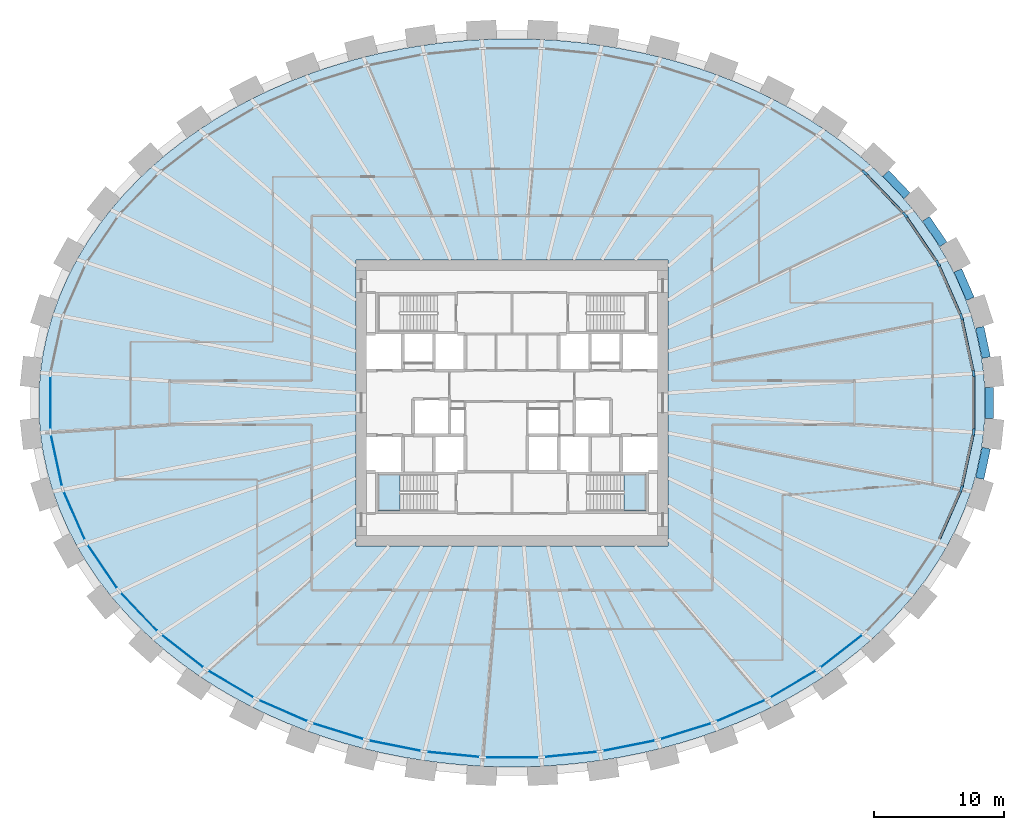
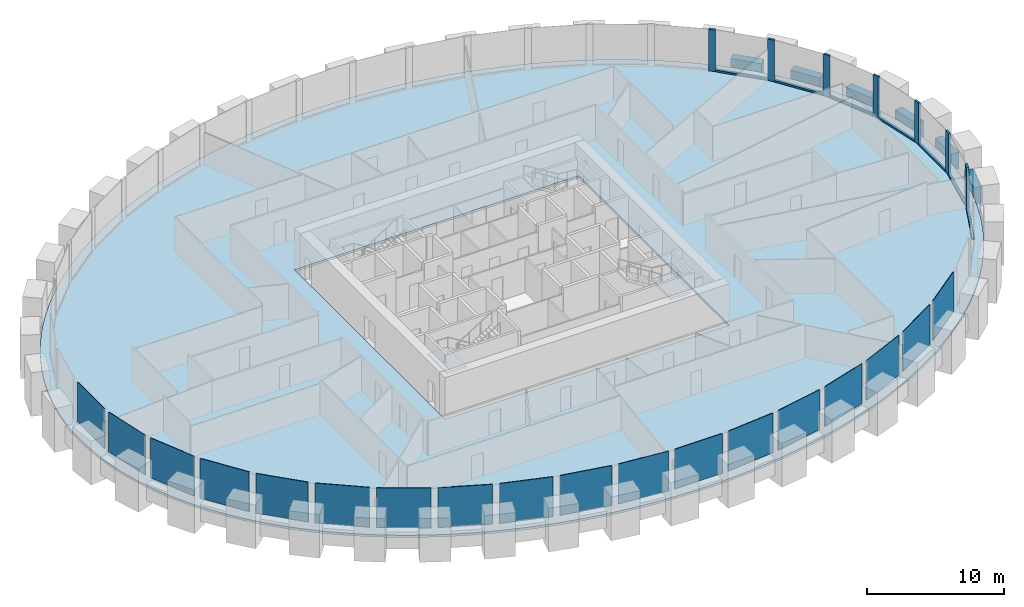
# One storey, part 4 of 10: 18 plates, 14 members, 6 beams, 3 slabs, 3 elements without a shape of their own.
"""IFC4 building model written with IfcOpenShell, lengths in metres."""

from ifc_helpers import new_model, si_unit, direction, frame, origin, origin_2d, place, context, subcontext, project, spatial, polyline, rectangle, outline, extrude, source, transform, mapped, material, layer, layer_set, material_profile, profile_set, type_object, element, aggregate, save


model = new_model("IFC4")

# Units and contexts
model_context = context("Model", 3, precision=1e-05, world=origin(), true_north=direction((0.0, 1.0)))
body_context = subcontext(model_context, "Body", "Model", "MODEL_VIEW")
ifc_project = project(units=[si_unit("LENGTHUNIT", "METRE"), si_unit("AREAUNIT", "SQUARE_METRE"), si_unit("VOLUMEUNIT", "CUBIC_METRE"), si_unit("PLANEANGLEUNIT", "RADIAN"), si_unit("MASSUNIT", "GRAM", prefix="KILO")], contexts=[model_context])

# Site, building, storey
site_placement = place(None, origin())
site = spatial("IfcSite", under=ifc_project, at=site_placement, CompositionType="ELEMENT")
building_placement = place(site_placement, origin())
building = spatial("IfcBuilding", under=site, at=building_placement, Name="Embergate Tower", CompositionType="ELEMENT")
storey_placement = place(building_placement, frame((0.0, 0.0, 183.300048828125)))
storey = spatial("IfcBuildingStorey", under=building, at=storey_placement, Name="L41", CompositionType="ELEMENT", Elevation=183.300048828125)

# Beams
ifc_material_1 = material(Name="Concrete C70", Category="concrete")
ifc_material_profile_1 = material_profile(ifc_material_1, rectangle(XDim=0.64990234375, YDim=1.5, at=origin_2d()), Name="RC 650x1500")
ifc_profile_set_1 = profile_set([ifc_material_profile_1], Name="Concrete C70")
beam_type = type_object("IfcBeamType", Name="Spandrel beam RC 650x1500 C70", PredefinedType="BEAM", material=ifc_profile_set_1)
shared_shape_1 = source(origin(), body_context, "Body", "SweptSolid", [
    extrude(rectangle(XDim=0.64990234375, YDim=1.5, at=origin_2d()), origin(), (0.0, 0.0, 1.0), 2.390625),
])
for number, where, z_axis, x_axis, name in (
    (1, (36.489013671875, 3.48388671875, 0.0), (-0.210372893439, 0.977621217909, 0.0), (-0.977621217909, -0.210372893439, 0.0), "SPN-L41-00"),
    (2, (35.986083984375, -5.821044921875, 0.0), (0.210372893439, 0.977621217909, 0.0), (-0.977621217909, 0.210372893439, 0.0), "SPN-L41-42"),
):
    element("IfcBeam", number, at=place(storey_placement, frame(where, z_axis=z_axis, x_axis=x_axis)), inside=storey, type_object=beam_type, Name=name, PredefinedType="BEAM", context=body_context, shape_type="MappedRepresentation", body=[
        mapped(shared_shape_1, transform((0.0, 0.0, 0.0))),
    ])
shared_shape_2 = source(origin(), body_context, "Body", "SweptSolid", [
    extrude(rectangle(XDim=0.64990234375, YDim=1.5, at=origin_2d()), origin(), (0.0, 0.0, 1.0), 2.383544921875),
])
beam_1_placement = place(storey_placement, frame((35.259033203125, 8.0029296875, 0.0), z_axis=(-0.401495719711, 0.915860899402, 0.0), x_axis=(-0.915860899402, -0.401495719711, 0.0)))
element("IfcBeam", 3, at=beam_1_placement, inside=storey, type_object=beam_type, Name="SPN-L41-01", PredefinedType="BEAM", context=body_context, shape_type="MappedRepresentation", body=[
    mapped(shared_shape_2, transform((0.0, 0.0, 0.0))),
])
shared_shape_3 = source(origin(), body_context, "Body", "SweptSolid", [
    extrude(rectangle(XDim=0.64990234375, YDim=1.5, at=origin_2d()), origin(), (0.0, 0.0, 1.0), 2.37744140625),
])
beam_2_placement = place(storey_placement, frame((33.18798828125, 12.198974609375, 0.0), z_axis=(-0.562307212713, 0.826928411975, 0.0), x_axis=(-0.826928411975, -0.562307212713, 0.0)))
element("IfcBeam", 4, at=beam_2_placement, inside=storey, type_object=beam_type, Name="SPN-L41-02", PredefinedType="BEAM", context=body_context, shape_type="MappedRepresentation", body=[
    mapped(shared_shape_3, transform((0.0, 0.0, 0.0))),
])
shared_shape_4 = source(origin(), body_context, "Body", "SweptSolid", [
    extrude(rectangle(XDim=0.64990234375, YDim=1.5, at=origin_2d()), origin(), (0.0, 0.0, 1.0), 2.370361328125),
])
beam_3_placement = place(storey_placement, frame((30.39111328125, 15.94189453125, 0.0), z_axis=(-0.690277300847, 0.723544917704, 0.0), x_axis=(-0.723544917704, -0.690277300847, 0.0)))
element("IfcBeam", 5, at=beam_3_placement, inside=storey, type_object=beam_type, Name="SPN-L41-03", PredefinedType="BEAM", context=body_context, shape_type="MappedRepresentation", body=[
    mapped(shared_shape_4, transform((0.0, 0.0, 0.0))),
])
shared_shape_5 = source(origin(), body_context, "Body", "SweptSolid", [
    extrude(rectangle(XDim=0.64990234375, YDim=1.5, at=origin_2d()), origin(), (0.0, 0.0, 1.0), 2.39404296875),
])
beam_4_placement = place(storey_placement, frame((36.73193359375, -1.197021484375, 0.0), z_axis=(0.0, 1.0, 0.0), x_axis=(-1.0, 0.0, 0.0)))
element("IfcBeam", 6, at=beam_4_placement, inside=storey, type_object=beam_type, Name="SPN-L41-43", PredefinedType="BEAM", context=body_context, shape_type="MappedRepresentation", body=[
    mapped(shared_shape_5, transform((0.0, 0.0, 0.0))),
])

# Curtain wall, members
ifc_material_2 = material(Name="Aluminium and glass", Category="aluminium")
curtain_wall_type = type_object("IfcCurtainWallType", Name="Recessed office glazing", PredefinedType="NOTDEFINED", material=ifc_material_2)
curtain_wall_placement = place(storey_placement, origin())
curtain_wall = element("IfcCurtainWall", 7, at=curtain_wall_placement, inside=storey, type_object=curtain_wall_type, Name="Recessed office glazing ring", ObjectType="RECESSED OFFICE GLAZING", PredefinedType="USERDEFINED")
ifc_material_3 = material(Name="Aluminium, thermally broken", Category="aluminium")
ifc_material_profile_2 = material_profile(ifc_material_3, rectangle(XDim=0.179931640625, YDim=0.52001953125, at=origin_2d()), Name="AL 520x180")
ifc_profile_set_2 = profile_set([ifc_material_profile_2], Name="Aluminium, thermally broken")
member_type_1 = type_object("IfcMemberType", Name="Office mullion", PredefinedType="MULLION", material=ifc_profile_set_2)
shared_shape_6 = source(origin(), body_context, "Body", "SweptSolid", [
    extrude(rectangle(XDim=0.179931640625, YDim=0.52001953125, at=origin_2d()), origin(), (0.0, 0.0, 1.0), 3.699951171875),
])
member_1_placement = place(storey_placement, frame((35.51806640625, 2.2392578125, 0.0), z_axis=(0.0, 0.0, 1.0), x_axis=(-0.994384954736, -0.105823257345, 0.0)))
member_1 = element("IfcMember", 8, at=member_1_placement, type_object=member_type_1, Name="CW mullion 1", PredefinedType="MULLION", context=body_context, shape_type="MappedRepresentation", body=[
    mapped(shared_shape_6, transform((0.0, 0.0, 0.0))),
])
member_2_placement = place(storey_placement, frame((34.5751953125, 6.6201171875, 0.0), z_axis=(0.0, 0.0, 1.0), x_axis=(-0.951497797992, -0.307655554826, 0.0)))
member_2 = element("IfcMember", 9, at=member_2_placement, type_object=member_type_1, Name="CW mullion 2", PredefinedType="MULLION", context=body_context, shape_type="MappedRepresentation", body=[
    mapped(shared_shape_6, transform((0.0, 0.0, 0.0))),
])
member_3_placement = place(storey_placement, frame((32.7724609375, 10.73046875, 0.0), z_axis=(0.0, 0.0, 1.0), x_axis=(-0.875002740779, -0.484117964581, 0.0)))
member_3 = element("IfcMember", 10, at=member_3_placement, type_object=member_type_1, Name="CW mullion 3", PredefinedType="MULLION", context=body_context, shape_type="MappedRepresentation", body=[
    mapped(shared_shape_6, transform((0.0, 0.0, 0.0))),
])
member_4_placement = place(storey_placement, frame((30.24365234375, 14.448974609375, 0.0), z_axis=(0.0, 0.0, 1.0), x_axis=(-0.777873661157, -0.62842069291, 0.0)))
member_4 = element("IfcMember", 11, at=member_4_placement, type_object=member_type_1, Name="CW mullion 4", PredefinedType="MULLION", context=body_context, shape_type="MappedRepresentation", body=[
    mapped(shared_shape_6, transform((0.0, 0.0, 0.0))),
])
member_5_placement = place(storey_placement, frame((27.13427734375, 17.709716796875, 0.0), z_axis=(0.0, 0.0, 1.0), x_axis=(-0.671229121411, -0.741249935292, 0.0)))
member_5 = element("IfcMember", 12, at=member_5_placement, type_object=member_type_1, Name="CW mullion 5", PredefinedType="MULLION", context=body_context, shape_type="MappedRepresentation", body=[
    mapped(shared_shape_6, transform((0.0, 0.0, 0.0))),
])
member_6_placement = place(storey_placement, frame((34.5751953125, -6.6201171875, 0.0), z_axis=(0.0, 0.0, 1.0), x_axis=(-0.951497797992, 0.307655554826, 0.0)))
member_6 = element("IfcMember", 13, at=member_6_placement, type_object=member_type_1, Name="CW mullion 43", PredefinedType="MULLION", context=body_context, shape_type="MappedRepresentation", body=[
    mapped(shared_shape_6, transform((0.0, 0.0, 0.0))),
])
member_7_placement = place(storey_placement, frame((35.51806640625, -2.2392578125, 0.0), z_axis=(0.0, 0.0, 1.0), x_axis=(-0.994384954736, 0.105823257345, 0.0)))
member_7 = element("IfcMember", 14, at=member_7_placement, type_object=member_type_1, Name="CW mullion 44", PredefinedType="MULLION", context=body_context, shape_type="MappedRepresentation", body=[
    mapped(shared_shape_6, transform((0.0, 0.0, 0.0))),
])
ifc_material_profile_3 = material_profile(ifc_material_3, rectangle(XDim=0.179931640625, YDim=0.14990234375, at=origin_2d()), Name="AL 150x180")
ifc_profile_set_3 = profile_set([ifc_material_profile_3], Name="Aluminium, thermally broken")
member_type_2 = type_object("IfcMemberType", Name="Office sill transom", PredefinedType="USERDEFINED", material=ifc_profile_set_3)
shared_shape_7 = source(origin(), body_context, "Body", "SweptSolid", [
    extrude(rectangle(XDim=0.179931640625, YDim=0.14990234375, at=origin_2d()), origin(), (0.0, 0.0, 1.0), 3.96142578125),
])
member_8_placement = place(storey_placement, frame((35.46337890625, 2.493408203125, 0.074951171875), z_axis=(-0.210400224287, 0.977615336224, 0.0), x_axis=(-0.977615336224, -0.210400224287, 0.0)))
member_8 = element("IfcMember", 15, at=member_8_placement, type_object=member_type_2, Name="CW transom 1.1", ObjectType="TRANSOM", PredefinedType="USERDEFINED", context=body_context, shape_type="MappedRepresentation", body=[
    mapped(shared_shape_7, transform((0.0, 0.0, 0.0))),
])
member_9_placement = place(storey_placement, frame((34.6298828125, -6.3662109375, 0.074951171875), z_axis=(0.210400224287, 0.977615336224, 0.0), x_axis=(-0.977615336224, 0.210400224287, 0.0)))
member_9 = element("IfcMember", 16, at=member_9_placement, type_object=member_type_2, Name="CW transom 43.1", ObjectType="TRANSOM", PredefinedType="USERDEFINED", context=body_context, shape_type="MappedRepresentation", body=[
    mapped(shared_shape_7, transform((0.0, 0.0, 0.0))),
])
shared_shape_8 = source(origin(), body_context, "Body", "SweptSolid", [
    extrude(rectangle(XDim=0.179931640625, YDim=0.14990234375, at=origin_2d()), origin(), (0.0, 0.0, 1.0), 3.968017578125),
])
member_10_placement = place(storey_placement, frame((34.470703125, 6.8583984375, 0.074951171875), z_axis=(-0.401657873891, 0.915789797028, 0.0), x_axis=(-0.915789797028, -0.401657873891, 0.0)))
member_10 = element("IfcMember", 17, at=member_10_placement, type_object=member_type_2, Name="CW transom 2.1", ObjectType="TRANSOM", PredefinedType="USERDEFINED", context=body_context, shape_type="MappedRepresentation", body=[
    mapped(shared_shape_8, transform((0.0, 0.0, 0.0))),
])
member_11_placement = place(storey_placement, frame((32.876953125, -10.4921875, 0.074951171875), z_axis=(0.401657873891, 0.915789797028, 0.0), x_axis=(-0.915789797028, 0.401657873891, 0.0)))
member_11 = element("IfcMember", 18, at=member_11_placement, type_object=member_type_2, Name="CW transom 42.1", ObjectType="TRANSOM", PredefinedType="USERDEFINED", context=body_context, shape_type="MappedRepresentation", body=[
    mapped(shared_shape_8, transform((0.0, 0.0, 0.0))),
])
shared_shape_9 = source(origin(), body_context, "Body", "SweptSolid", [
    extrude(rectangle(XDim=0.179931640625, YDim=0.14990234375, at=origin_2d()), origin(), (0.0, 0.0, 1.0), 3.976806640625),
])
member_12_placement = place(storey_placement, frame((32.626220703125, 10.9453125, 0.074951171875), z_axis=(-0.5623268127, 0.826915083741, 0.0), x_axis=(-0.826915083741, -0.5623268127, 0.0)))
member_12 = element("IfcMember", 19, at=member_12_placement, type_object=member_type_2, Name="CW transom 3.1", ObjectType="TRANSOM", PredefinedType="USERDEFINED", context=body_context, shape_type="MappedRepresentation", body=[
    mapped(shared_shape_9, transform((0.0, 0.0, 0.0))),
])
shared_shape_10 = source(origin(), body_context, "Body", "SweptSolid", [
    extrude(rectangle(XDim=0.179931640625, YDim=0.14990234375, at=origin_2d()), origin(), (0.0, 0.0, 1.0), 3.985595703125),
])
member_13_placement = place(storey_placement, frame((30.064208984375, 14.63720703125, 0.074951171875), z_axis=(-0.690123088355, 0.723692008329, 0.0), x_axis=(-0.723692008329, -0.690123088355, 0.0)))
member_13 = element("IfcMember", 20, at=member_13_placement, type_object=member_type_2, Name="CW transom 4.1", ObjectType="TRANSOM", PredefinedType="USERDEFINED", context=body_context, shape_type="MappedRepresentation", body=[
    mapped(shared_shape_10, transform((0.0, 0.0, 0.0))),
])
shared_shape_11 = source(origin(), body_context, "Body", "SweptSolid", [
    extrude(rectangle(XDim=0.179931640625, YDim=0.14990234375, at=origin_2d()), origin(), (0.0, 0.0, 1.0), 3.95849609375),
])
member_14_placement = place(storey_placement, frame((35.51806640625, -1.979248046875, 0.074951171875), z_axis=(0.0, 1.0, 0.0), x_axis=(-1.0, 0.0, 0.0)))
member_14 = element("IfcMember", 21, at=member_14_placement, type_object=member_type_2, Name="CW transom 44.1", ObjectType="TRANSOM", PredefinedType="USERDEFINED", context=body_context, shape_type="MappedRepresentation", body=[
    mapped(shared_shape_11, transform((0.0, 0.0, 0.0))),
])

# Slab
ifc_material_4 = material(Name="Concrete C40", Category="concrete")
ifc_layer_1 = layer(ifc_material_4, 0.199951171875)
ifc_layer_set_1 = layer_set([ifc_layer_1], Name="Concrete C40")
slab_type_1 = type_object("IfcSlabType", Name="Composite floor slab C40 200", PredefinedType="FLOOR", material=ifc_layer_set_1)
shared_shape_12 = source(origin(), body_context, "Body", "SweptSolid", [
    extrude(outline(polyline([(0.0, 0.0), (1.5400390625, 0.0), (3.0791015625, 0.050048828125), (4.617919921875, 0.15087890625), (6.151123046875, 0.302001953125), (7.674072265625, 0.501953125), (9.198974609375, 0.7548828125), (10.708984375, 1.057861328125), (12.200927734375, 1.409912109375), (13.696044921875, 1.81787109375), (15.166015625, 2.27587890625), (16.609130859375, 2.782958984375), (18.053955078125, 3.35107421875), (19.465087890625, 3.968017578125), (20.839111328125, 4.6318359375), (22.2109375, 5.364990234375), (23.5390625, 6.14501953125), (24.818115234375, 6.971923828125), (26.089111328125, 7.8740234375), (27.302978515625, 8.821044921875), (28.4560546875, 9.81201171875), (29.589111328125, 10.884033203125), (30.651123046875, 11.998046875), (31.64111328125, 13.15087890625), (32.590087890625, 14.387939453125), (33.4560546875, 15.660888671875), (34.235107421875, 16.966064453125), (34.949951171875, 18.347900390625), (35.568115234375, 19.7568359375), (36.0869140625, 21.18896484375), (36.51708984375, 22.677978515625), (36.841064453125, 24.181884765625), (37.05712890625, 25.697021484375), (37.1669921875, 27.23291015625), (37.1669921875, 28.77099609375), (37.05712890625, 30.306884765625), (36.841064453125, 31.822021484375), (36.51708984375, 33.325927734375), (36.0869140625, 34.81494140625), (35.568115234375, 36.2470703125), (34.949951171875, 37.656005859375), (34.235107421875, 39.037841796875), (33.4560546875, 40.343017578125), (32.590087890625, 41.615966796875), (31.64111328125, 42.85302734375), (30.651123046875, 44.005859375), (29.589111328125, 45.119873046875), (28.4560546875, 46.19189453125), (27.302978515625, 47.182861328125), (26.089111328125, 48.1298828125), (24.818115234375, 49.031982421875), (23.5390625, 49.85888671875), (22.2109375, 50.638916015625), (20.839111328125, 51.3720703125), (19.465087890625, 52.035888671875), (18.053955078125, 52.65283203125), (16.609130859375, 53.220947265625), (15.166015625, 53.72802734375), (13.696044921875, 54.18603515625), (12.200927734375, 54.593994140625), (10.708984375, 54.946044921875), (9.198974609375, 55.2490234375), (7.674072265625, 55.501953125), (6.151123046875, 55.701904296875), (4.617919921875, 55.85302734375), (3.0791015625, 55.953857421875), (1.5400390625, 56.00390625), (0.0, 56.00390625), (-1.5390625, 55.953857421875), (-3.077880859375, 55.85302734375), (-4.611083984375, 55.701904296875), (-6.134033203125, 55.501953125), (-7.658935546875, 55.2490234375), (-9.1689453125, 54.946044921875), (-10.660888671875, 54.593994140625), (-12.156005859375, 54.18603515625), (-13.6259765625, 53.72802734375), (-15.069091796875, 53.220947265625), (-16.513916015625, 52.65283203125), (-17.925048828125, 52.035888671875), (-19.299072265625, 51.3720703125), (-20.6708984375, 50.638916015625), (-21.9990234375, 49.85888671875), (-23.278076171875, 49.031982421875), (-24.549072265625, 48.1298828125), (-25.762939453125, 47.182861328125), (-26.916015625, 46.19189453125), (-28.049072265625, 45.119873046875), (-29.111083984375, 44.005859375), (-30.10107421875, 42.85302734375), (-31.050048828125, 41.615966796875), (-31.916015625, 40.343017578125), (-32.695068359375, 39.037841796875), (-33.409912109375, 37.656005859375), (-34.028076171875, 36.2470703125), (-34.546875, 34.81494140625), (-34.97705078125, 33.325927734375), (-35.301025390625, 31.822021484375), (-35.51708984375, 30.306884765625), (-35.626953125, 28.77099609375), (-35.626953125, 27.23291015625), (-35.51708984375, 25.697021484375), (-35.301025390625, 24.181884765625), (-34.97705078125, 22.677978515625), (-34.546875, 21.18896484375), (-34.028076171875, 19.7568359375), (-33.409912109375, 18.347900390625), (-32.695068359375, 16.966064453125), (-31.916015625, 15.660888671875), (-31.050048828125, 14.387939453125), (-30.10107421875, 13.15087890625), (-29.111083984375, 11.998046875), (-28.049072265625, 10.884033203125), (-26.916015625, 9.81201171875), (-25.762939453125, 8.821044921875), (-24.549072265625, 7.8740234375), (-23.278076171875, 6.971923828125), (-21.9990234375, 6.14501953125), (-20.6708984375, 5.364990234375), (-19.299072265625, 4.6318359375), (-17.925048828125, 3.968017578125), (-16.513916015625, 3.35107421875), (-15.069091796875, 2.782958984375), (-13.6259765625, 2.27587890625), (-12.156005859375, 1.81787109375), (-10.660888671875, 1.409912109375), (-9.1689453125, 1.057861328125), (-7.658935546875, 0.7548828125), (-6.134033203125, 0.501953125), (-4.611083984375, 0.302001953125), (-3.077880859375, 0.15087890625), (-1.5390625, 0.050048828125), (0.0, 0.0)]), holes=[polyline([(-11.22998046875, 17.001953125), (-11.22998046875, 39.001953125), (12.77001953125, 39.001953125), (12.77001953125, 17.001953125), (-11.22998046875, 17.001953125)])]), origin(), (0.0, 0.0, 1.0), 0.199951171875),
])
slab_1_placement = place(storey_placement, frame((-0.77001953125, -28.001953125, -0.199951171875)))
element("IfcSlab", 22, at=slab_1_placement, inside=storey, type_object=slab_type_1, Name="SLB-L41-00", PredefinedType="FLOOR", context=body_context, shape_type="MappedRepresentation", body=[
    mapped(shared_shape_12, transform((0.0, 0.0, 0.0))),
])

# Plate
ifc_material_5 = material(Name="Triple glazing, low-emissivity coating", Category="glass")
ifc_layer_2 = layer(ifc_material_5, 0.035888671875)
ifc_layer_set_2 = layer_set([ifc_layer_2], Name="Triple glazing, low-emissivity coating")
plate_type = type_object("IfcPlateType", Name="Office glazing unit", PredefinedType="CURTAIN_PANEL", material=ifc_layer_set_2)
shared_shape_13 = source(origin(), body_context, "Body", "SweptSolid", [
    extrude(rectangle(XDim=3.961181640625, YDim=0.035888671875, at=origin_2d()), origin(), (0.0, 0.0, 1.0), 3.550048828125),
])
plate_1_placement = place(storey_placement, frame((-35.046630859375, -4.4296875, 0.14990234375), z_axis=(0.0, 0.0, 1.0), x_axis=(0.210396684915, -0.977616097953, 0.0)))
plate_1 = element("IfcPlate", 23, at=plate_1_placement, type_object=plate_type, Name="CW panel 23.1", PredefinedType="CURTAIN_PANEL", context=body_context, shape_type="MappedRepresentation", body=[
    mapped(shared_shape_13, transform((0.0, 0.0, 0.0))),
])

shared_shape_14 = source(origin(), body_context, "Body", "SweptSolid", [
    extrude(rectangle(XDim=3.96826171875, YDim=0.035888671875, at=origin_2d()), origin(), (0.0, 0.0, 1.0), 3.550048828125),
])
plate_2_placement = place(storey_placement, frame((-33.673828125, -8.67529296875, 0.14990234375), z_axis=(0.0, 0.0, 1.0), x_axis=(0.401650502798, -0.915793029894, 0.0)))
plate_2 = element("IfcPlate", 24, at=plate_2_placement, type_object=plate_type, Name="CW panel 24.1", PredefinedType="CURTAIN_PANEL", context=body_context, shape_type="MappedRepresentation", body=[
    mapped(shared_shape_14, transform((0.0, 0.0, 0.0))),
])

shared_shape_15 = source(origin(), body_context, "Body", "SweptSolid", [
    extrude(rectangle(XDim=3.976806640625, YDim=0.035888671875, at=origin_2d()), origin(), (0.0, 0.0, 1.0), 3.550048828125),
])
plate_3_placement = place(storey_placement, frame((-31.508056640625, -12.589599609375, 0.14990234375), z_axis=(0.0, 0.0, 1.0), x_axis=(0.562340298693, -0.826905912705, 0.0)))
plate_3 = element("IfcPlate", 25, at=plate_3_placement, type_object=plate_type, Name="CW panel 25.1", PredefinedType="CURTAIN_PANEL", context=body_context, shape_type="MappedRepresentation", body=[
    mapped(shared_shape_15, transform((0.0, 0.0, 0.0))),
])

shared_shape_16 = source(origin(), body_context, "Body", "SweptSolid", [
    extrude(rectangle(XDim=3.985595703125, YDim=0.035888671875, at=origin_2d()), origin(), (0.0, 0.0, 1.0), 3.550048828125),
])
plate_4_placement = place(storey_placement, frame((-28.68896484375, -16.079345703125, 0.14990234375), z_axis=(0.0, 0.0, 1.0), x_axis=(0.6901325214, -0.723683012724, 0.0)))
plate_4 = element("IfcPlate", 26, at=plate_4_placement, type_object=plate_type, Name="CW panel 26.1", PredefinedType="CURTAIN_PANEL", context=body_context, shape_type="MappedRepresentation", body=[
    mapped(shared_shape_16, transform((0.0, 0.0, 0.0))),
])

shared_shape_17 = source(origin(), body_context, "Body", "SweptSolid", [
    extrude(rectangle(XDim=3.992919921875, YDim=0.035888671875, at=origin_2d()), origin(), (0.0, 0.0, 1.0), 3.550048828125),
])
plate_5_placement = place(storey_placement, frame((-25.35546875, -19.097900390625, 0.14990234375), z_axis=(0.0, 0.0, 1.0), x_axis=(0.788317971569, -0.615268051911, 0.0)))
plate_5 = element("IfcPlate", 27, at=plate_5_placement, type_object=plate_type, Name="CW panel 27.1", PredefinedType="CURTAIN_PANEL", context=body_context, shape_type="MappedRepresentation", body=[
    mapped(shared_shape_17, transform((0.0, 0.0, 0.0))),
])

plate_6_placement = place(storey_placement, frame((25.35546875, -19.097900390625, 0.14990234375), z_axis=(0.0, 0.0, 1.0), x_axis=(0.788317971569, 0.615268051911, 0.0)))
plate_6 = element("IfcPlate", 28, at=plate_6_placement, type_object=plate_type, Name="CW panel 39.1", PredefinedType="CURTAIN_PANEL", context=body_context, shape_type="MappedRepresentation", body=[
    mapped(shared_shape_17, transform((0.0, 0.0, 0.0))),
])

shared_shape_18 = source(origin(), body_context, "Body", "SweptSolid", [
    extrude(rectangle(XDim=3.9990234375, YDim=0.035888671875, at=origin_2d()), origin(), (0.0, 0.0, 1.0), 3.550048828125),
])
plate_7_placement = place(storey_placement, frame((-21.62890625, -21.631591796875, 0.14990234375), z_axis=(0.0, 0.0, 1.0), x_axis=(0.862051398678, -0.50682086188, 0.0)))
plate_7 = element("IfcPlate", 29, at=plate_7_placement, type_object=plate_type, Name="CW panel 28.1", PredefinedType="CURTAIN_PANEL", context=body_context, shape_type="MappedRepresentation", body=[
    mapped(shared_shape_18, transform((0.0, 0.0, 0.0))),
])

plate_8_placement = place(storey_placement, frame((21.62890625, -21.631591796875, 0.14990234375), z_axis=(0.0, 0.0, 1.0), x_axis=(0.862051398678, 0.50682086188, 0.0)))
plate_8 = element("IfcPlate", 30, at=plate_8_placement, type_object=plate_type, Name="CW panel 38.1", PredefinedType="CURTAIN_PANEL", context=body_context, shape_type="MappedRepresentation", body=[
    mapped(shared_shape_18, transform((0.0, 0.0, 0.0))),
])

shared_shape_19 = source(origin(), body_context, "Body", "SweptSolid", [
    extrude(rectangle(XDim=4.00341796875, YDim=0.035888671875, at=origin_2d()), origin(), (0.0, 0.0, 1.0), 3.550048828125),
])
plate_9_placement = place(storey_placement, frame((-17.608642578125, -23.682861328125, 0.14990234375), z_axis=(0.0, 0.0, 1.0), x_axis=(0.916234813243, -0.400641694037, 0.0)))
plate_9 = element("IfcPlate", 31, at=plate_9_placement, type_object=plate_type, Name="CW panel 29.1", PredefinedType="CURTAIN_PANEL", context=body_context, shape_type="MappedRepresentation", body=[
    mapped(shared_shape_19, transform((0.0, 0.0, 0.0))),
])

plate_10_placement = place(storey_placement, frame((17.608642578125, -23.682861328125, 0.14990234375), z_axis=(0.0, 0.0, 1.0), x_axis=(0.916234813243, 0.400641694037, 0.0)))
plate_10 = element("IfcPlate", 32, at=plate_10_placement, type_object=plate_type, Name="CW panel 37.1", PredefinedType="CURTAIN_PANEL", context=body_context, shape_type="MappedRepresentation", body=[
    mapped(shared_shape_19, transform((0.0, 0.0, 0.0))),
])

shared_shape_20 = source(origin(), body_context, "Body", "SweptSolid", [
    extrude(rectangle(XDim=4.0068359375, YDim=0.035888671875, at=origin_2d()), origin(), (0.0, 0.0, 1.0), 3.550048828125),
])
plate_11_placement = place(storey_placement, frame((-13.37548828125, -25.261962890625, 0.14990234375), z_axis=(0.0, 0.0, 1.0), x_axis=(0.954771179262, -0.297341546458, 0.0)))
plate_11 = element("IfcPlate", 33, at=plate_11_placement, type_object=plate_type, Name="CW panel 30.1", PredefinedType="CURTAIN_PANEL", context=body_context, shape_type="MappedRepresentation", body=[
    mapped(shared_shape_20, transform((0.0, 0.0, 0.0))),
])

plate_12_placement = place(storey_placement, frame((13.37548828125, -25.261962890625, 0.14990234375), z_axis=(0.0, 0.0, 1.0), x_axis=(0.954771179262, 0.297341546458, 0.0)))
plate_12 = element("IfcPlate", 34, at=plate_12_placement, type_object=plate_type, Name="CW panel 36.1", PredefinedType="CURTAIN_PANEL", context=body_context, shape_type="MappedRepresentation", body=[
    mapped(shared_shape_20, transform((0.0, 0.0, 0.0))),
])

shared_shape_21 = source(origin(), body_context, "Body", "SweptSolid", [
    extrude(rectangle(XDim=4.009033203125, YDim=0.035888671875, at=origin_2d()), origin(), (0.0, 0.0, 1.0), 3.550048828125),
])
plate_13_placement = place(storey_placement, frame((-8.994140625, -26.380126953125, 0.14990234375), z_axis=(0.0, 0.0, 1.0), x_axis=(0.980475564207, -0.196640962142, 0.0)))
plate_13 = element("IfcPlate", 35, at=plate_13_placement, type_object=plate_type, Name="CW panel 31.1", PredefinedType="CURTAIN_PANEL", context=body_context, shape_type="MappedRepresentation", body=[
    mapped(shared_shape_21, transform((0.0, 0.0, 0.0))),
])

plate_14_placement = place(storey_placement, frame((8.994140625, -26.380126953125, 0.14990234375), z_axis=(0.0, 0.0, 1.0), x_axis=(0.980475564207, 0.196640962142, 0.0)))
plate_14 = element("IfcPlate", 36, at=plate_14_placement, type_object=plate_type, Name="CW panel 35.1", PredefinedType="CURTAIN_PANEL", context=body_context, shape_type="MappedRepresentation", body=[
    mapped(shared_shape_21, transform((0.0, 0.0, 0.0))),
])

shared_shape_22 = source(origin(), body_context, "Body", "SweptSolid", [
    extrude(rectangle(XDim=4.01025390625, YDim=0.035888671875, at=origin_2d()), origin(), (0.0, 0.0, 1.0), 3.550048828125),
])
plate_15_placement = place(storey_placement, frame((-4.51953125, -27.047119140625, 0.14990234375), z_axis=(0.0, 0.0, 1.0), x_axis=(0.995203184788, -0.097829550688, 0.0)))
plate_15 = element("IfcPlate", 37, at=plate_15_placement, type_object=plate_type, Name="CW panel 32.1", PredefinedType="CURTAIN_PANEL", context=body_context, shape_type="MappedRepresentation", body=[
    mapped(shared_shape_22, transform((0.0, 0.0, 0.0))),
])

plate_16_placement = place(storey_placement, frame((4.51953125, -27.047119140625, 0.14990234375), z_axis=(0.0, 0.0, 1.0), x_axis=(0.995203184788, 0.097829550688, 0.0)))
plate_16 = element("IfcPlate", 38, at=plate_16_placement, type_object=plate_type, Name="CW panel 34.1", PredefinedType="CURTAIN_PANEL", context=body_context, shape_type="MappedRepresentation", body=[
    mapped(shared_shape_22, transform((0.0, 0.0, 0.0))),
])

shared_shape_23 = source(origin(), body_context, "Body", "SweptSolid", [
    extrude(rectangle(XDim=4.010498046875, YDim=0.035888671875, at=origin_2d()), origin(), (0.0, 0.0, 1.0), 3.550048828125),
])
plate_17_placement = place(storey_placement, frame((0.0, -27.268798828125, 0.14990234375), z_axis=(0.0, 0.0, 1.0), x_axis=(1.0, 0.0, 0.0)))
plate_17 = element("IfcPlate", 39, at=plate_17_placement, type_object=plate_type, Name="CW panel 33.1", PredefinedType="CURTAIN_PANEL", context=body_context, shape_type="MappedRepresentation", body=[
    mapped(shared_shape_23, transform((0.0, 0.0, 0.0))),
])

shared_shape_24 = source(origin(), body_context, "Body", "SweptSolid", [
    extrude(rectangle(XDim=3.95849609375, YDim=0.035888671875, at=origin_2d()), origin(), (0.0, 0.0, 1.0), 3.550048828125),
])
plate_18_placement = place(storey_placement, frame((-35.51806640625, 0.0, 0.14990234375), z_axis=(0.0, 0.0, 1.0), x_axis=(0.0, -1.0, 0.0)))
plate_18 = element("IfcPlate", 40, at=plate_18_placement, type_object=plate_type, Name="CW panel 22.1", PredefinedType="CURTAIN_PANEL", context=body_context, shape_type="MappedRepresentation", body=[
    mapped(shared_shape_24, transform((0.0, 0.0, 0.0))),
])

aggregate(curtain_wall, [member_1, member_2, member_3, member_4, member_5, member_6, member_7, member_8, member_10, member_12, member_13, plate_18, plate_1, plate_2, plate_3, plate_4, plate_5, plate_7, plate_9, plate_11, plate_13, plate_15, plate_17, plate_16, plate_14, plate_12, plate_10, plate_8, plate_6, member_11, member_9, member_14])

# Stair, slab
ifc_material_6 = material(Name="Exit stair")
stair_type = type_object("IfcStairType", Name="Exit stair", PredefinedType="HALF_TURN_STAIR", material=ifc_material_6)
stair_1_placement = place(storey_placement, origin())
stair_1 = element("IfcStair", 41, at=stair_1_placement, inside=storey, type_object=stair_type, Name="L41 Exit stair 3", PredefinedType="HALF_TURN_STAIR")
ifc_layer_3 = layer(ifc_material_4, 0.199951171875)
ifc_layer_set_3 = layer_set([ifc_layer_3], Name="Concrete C40")
slab_type_2 = type_object("IfcSlabType", Name="Stair landing reinforced concrete", PredefinedType="LANDING", material=ifc_layer_set_3)
shared_shape_25 = source(origin(), body_context, "Body", "SweptSolid", [
    extrude(outline(polyline([(0.0, 0.0), (1.68994140625, 0.0), (1.68994140625, 2.800048828125), (0.0, 2.800048828125), (0.0, 0.0)])), origin(), (0.0, 0.0, 1.0), 0.199951171875),
])
slab_2_placement = place(storey_placement, frame((-10.300048828125, -8.300048828125, 1.75)))
slab_2 = element("IfcSlab", 42, at=slab_2_placement, type_object=slab_type_2, Name="ST3 landing 1", PredefinedType="LANDING", context=body_context, shape_type="MappedRepresentation", body=[
    mapped(shared_shape_25, transform((0.0, 0.0, 0.0))),
])
aggregate(stair_1, [slab_2])

stair_2_placement = place(storey_placement, origin())
stair_2 = element("IfcStair", 43, at=stair_2_placement, inside=storey, type_object=stair_type, Name="L41 Exit stair 4", PredefinedType="HALF_TURN_STAIR")
slab_3_placement = place(storey_placement, frame((8.610107421875, -8.300048828125, 1.75)))
slab_3 = element("IfcSlab", 44, at=slab_3_placement, type_object=slab_type_2, Name="ST4 landing 1", PredefinedType="LANDING", context=body_context, shape_type="MappedRepresentation", body=[
    mapped(shared_shape_25, transform((0.0, 0.0, 0.0))),
])
aggregate(stair_2, [slab_3])

save(model, "model.ifc")
